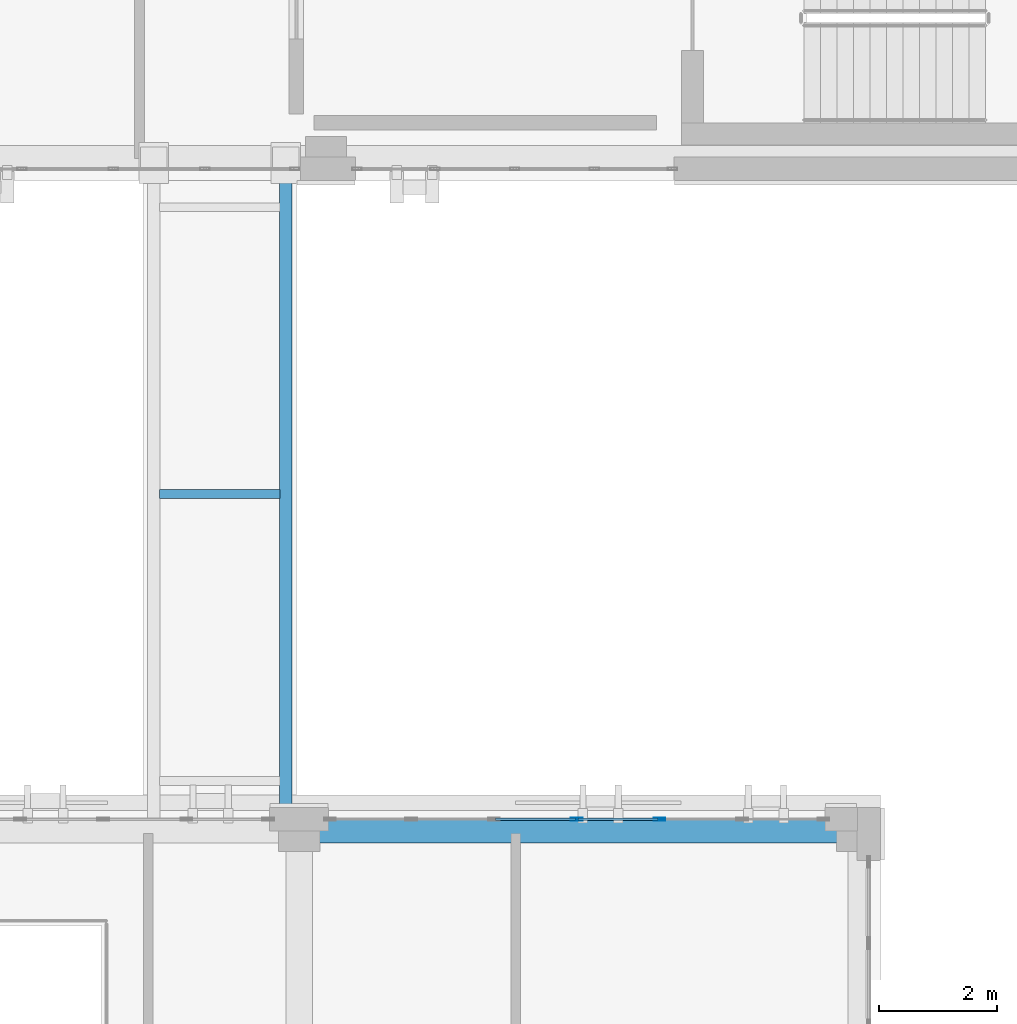
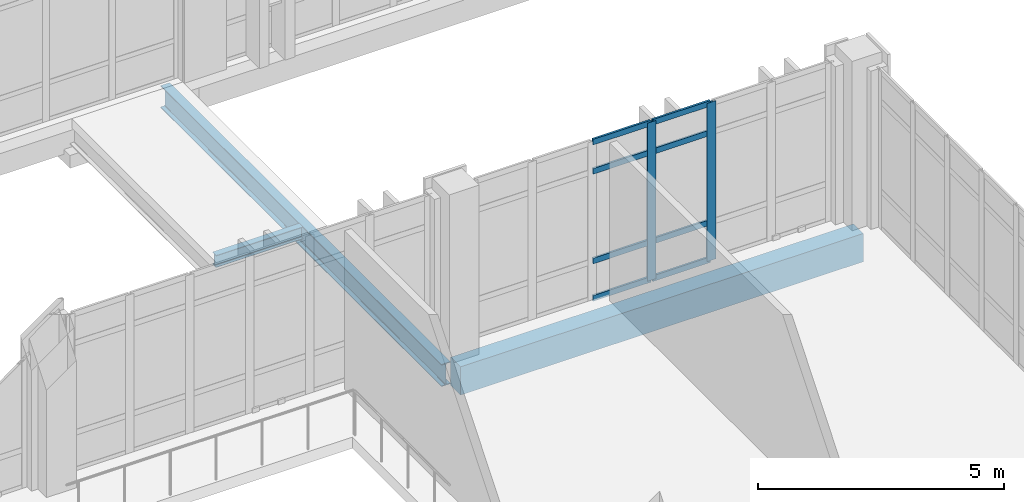
# One storey, part 51 of 158: 10 members, 3 beams, 1 element without a shape of its own.
"""IFC4 building model written with IfcOpenShell, lengths in metres."""

from ifc_helpers import new_model, si_unit, direction, frame, origin, origin_2d, place, context, subcontext, project, spatial, rectangle, hollow_rectangle, i_section, extrude, material, layer, layer_set, material_profile, profile_set, type_object, element, aggregate, save


model = new_model("IFC4")

# Units and contexts
model_context = context("Model", 3, precision=1e-05, world=origin(), true_north=direction((0.0, 1.0)))
body_context = subcontext(model_context, "Body", "Model", "MODEL_VIEW")
ifc_project = project(units=[si_unit("LENGTHUNIT", "METRE"), si_unit("AREAUNIT", "SQUARE_METRE"), si_unit("VOLUMEUNIT", "CUBIC_METRE"), si_unit("PLANEANGLEUNIT", "RADIAN"), si_unit("MASSUNIT", "GRAM", prefix="KILO")], contexts=[model_context])

# Site, building, storey
site_placement = place(None, origin())
site = spatial("IfcSite", under=ifc_project, at=site_placement, CompositionType="ELEMENT")
building_placement = place(site_placement, origin())
building = spatial("IfcBuilding", under=site, at=building_placement, Name="Qalavern Law Courts", CompositionType="ELEMENT")
storey_placement = place(building_placement, frame((0.0, 0.0, 18.60009765625)))
storey = spatial("IfcBuildingStorey", under=building, at=storey_placement, Name="L04", CompositionType="ELEMENT", Elevation=18.60009765625)

# Curtain wall, members
ifc_material_1 = material(Name="Anodised aluminium and insulated glazing", Category="aluminium")
ifc_layer = layer(ifc_material_1, 0.18505859375)
ifc_layer_set = layer_set([ifc_layer], Name="Anodised aluminium and insulated glazing")
curtain_wall_type = type_object("IfcCurtainWallType", Name="ENV-CW-HALL", PredefinedType="USERDEFINED", material=ifc_layer_set)
curtain_wall_placement = place(storey_placement, origin())
curtain_wall = element("IfcCurtainWall", 1, at=curtain_wall_placement, inside=storey, type_object=curtain_wall_type, Name="V2 unitised curtain wall L04 north 1", ObjectType="UNITISED CURTAIN WALL", PredefinedType="USERDEFINED")
ifc_material_2 = material(Name="Anodised aluminium", Category="aluminium")
ifc_material_profile_1 = material_profile(ifc_material_2, hollow_rectangle(XDim=0.048095703125, YDim=0.199951171875, WallThickness=0.00439453125, at=origin_2d()), Name="ALU MULLION 48x200")
ifc_profile_set_1 = profile_set([ifc_material_profile_1], Name="Anodised aluminium")
member_type_1 = type_object("IfcMemberType", Name="ENV-CWM-48x200", PredefinedType="MULLION", material=ifc_profile_set_1)
member_1_placement = place(storey_placement, frame((97.451904296875, 30.199951171875, 0.0), z_axis=(0.0, 0.0, 1.0), x_axis=(0.0, -1.0, 0.0)))
member_1 = element("IfcMember", 2, at=member_1_placement, type_object=member_type_1, Name="CW-02 mullion 3", PredefinedType="MULLION", context=body_context, shape_type="SweptSolid", body=[
    extrude(hollow_rectangle(XDim=0.048095703125, YDim=0.199951171875, WallThickness=0.00439453125, at=origin_2d()), origin(), (0.0, 0.0, 1.0), 3.9248046875),
])
member_2_placement = place(storey_placement, frame((96.05029296875, 30.199951171875, 0.0), z_axis=(0.0, 0.0, 1.0), x_axis=(0.0, -1.0, 0.0)))
member_2 = element("IfcMember", 3, at=member_2_placement, type_object=member_type_1, Name="CW-02 mullion 4", PredefinedType="MULLION", context=body_context, shape_type="SweptSolid", body=[
    extrude(hollow_rectangle(XDim=0.048095703125, YDim=0.199951171875, WallThickness=0.00439453125, at=origin_2d()), origin(), (0.0, 0.0, 1.0), 3.9248046875),
])
ifc_material_profile_2 = material_profile(ifc_material_2, hollow_rectangle(XDim=0.048095703125, YDim=0.139892578125, WallThickness=0.00390625, at=origin_2d()), Name="ALU TRANSOM 48x140")
ifc_profile_set_2 = profile_set([ifc_material_profile_2], Name="Anodised aluminium")
member_type_2 = type_object("IfcMemberType", Name="ENV-CWT-48x140", PredefinedType="USERDEFINED", material=ifc_profile_set_2)
member_3_placement = place(storey_placement, frame((97.427978515625, 30.199951171875, 0.02392578125), z_axis=(-1.0, 0.0, 0.0), x_axis=(0.0, -1.0, 0.0)))
member_3 = element("IfcMember", 4, at=member_3_placement, type_object=member_type_2, Name="CW-02 transom 3.1", ObjectType="TRANSOM", PredefinedType="USERDEFINED", context=body_context, shape_type="SweptSolid", body=[
    extrude(hollow_rectangle(XDim=0.048095703125, YDim=0.139892578125, WallThickness=0.00390625, at=origin_2d()), origin(), (0.0, 0.0, 1.0), 1.353515625),
])
member_4_placement = place(storey_placement, frame((97.427978515625, 30.199951171875, 0.949951171875), z_axis=(-1.0, 0.0, 0.0), x_axis=(0.0, -1.0, 0.0)))
member_4 = element("IfcMember", 5, at=member_4_placement, type_object=member_type_2, Name="CW-02 transom 3.2", ObjectType="TRANSOM", PredefinedType="USERDEFINED", context=body_context, shape_type="SweptSolid", body=[
    extrude(hollow_rectangle(XDim=0.048095703125, YDim=0.139892578125, WallThickness=0.00390625, at=origin_2d()), origin(), (0.0, 0.0, 1.0), 1.353515625),
])
member_5_placement = place(storey_placement, frame((97.427978515625, 30.199951171875, 3.1748046875), z_axis=(-1.0, 0.0, 0.0), x_axis=(0.0, -1.0, 0.0)))
member_5 = element("IfcMember", 6, at=member_5_placement, type_object=member_type_2, Name="CW-02 transom 3.3", ObjectType="TRANSOM", PredefinedType="USERDEFINED", context=body_context, shape_type="SweptSolid", body=[
    extrude(hollow_rectangle(XDim=0.048095703125, YDim=0.139892578125, WallThickness=0.00390625, at=origin_2d()), origin(), (0.0, 0.0, 1.0), 1.353515625),
])
member_6_placement = place(storey_placement, frame((97.427978515625, 30.199951171875, 3.90087890625), z_axis=(-1.0, 0.0, 0.0), x_axis=(0.0, -1.0, 0.0)))
member_6 = element("IfcMember", 7, at=member_6_placement, type_object=member_type_2, Name="CW-02 transom 3.4", ObjectType="TRANSOM", PredefinedType="USERDEFINED", context=body_context, shape_type="SweptSolid", body=[
    extrude(hollow_rectangle(XDim=0.048095703125, YDim=0.139892578125, WallThickness=0.00390625, at=origin_2d()), origin(), (0.0, 0.0, 1.0), 1.353515625),
])
member_7_placement = place(storey_placement, frame((96.0263671875, 30.199951171875, 0.02392578125), z_axis=(-1.0, 0.0, 0.0), x_axis=(0.0, -1.0, 0.0)))
member_7 = element("IfcMember", 8, at=member_7_placement, type_object=member_type_2, Name="CW-02 transom 4.1", ObjectType="TRANSOM", PredefinedType="USERDEFINED", context=body_context, shape_type="SweptSolid", body=[
    extrude(hollow_rectangle(XDim=0.048095703125, YDim=0.139892578125, WallThickness=0.00390625, at=origin_2d()), origin(), (0.0, 0.0, 1.0), 1.353515625),
])
member_8_placement = place(storey_placement, frame((96.0263671875, 30.199951171875, 0.949951171875), z_axis=(-1.0, 0.0, 0.0), x_axis=(0.0, -1.0, 0.0)))
member_8 = element("IfcMember", 9, at=member_8_placement, type_object=member_type_2, Name="CW-02 transom 4.2", ObjectType="TRANSOM", PredefinedType="USERDEFINED", context=body_context, shape_type="SweptSolid", body=[
    extrude(hollow_rectangle(XDim=0.048095703125, YDim=0.139892578125, WallThickness=0.00390625, at=origin_2d()), origin(), (0.0, 0.0, 1.0), 1.353515625),
])
member_9_placement = place(storey_placement, frame((96.0263671875, 30.199951171875, 3.1748046875), z_axis=(-1.0, 0.0, 0.0), x_axis=(0.0, -1.0, 0.0)))
member_9 = element("IfcMember", 10, at=member_9_placement, type_object=member_type_2, Name="CW-02 transom 4.3", ObjectType="TRANSOM", PredefinedType="USERDEFINED", context=body_context, shape_type="SweptSolid", body=[
    extrude(hollow_rectangle(XDim=0.048095703125, YDim=0.139892578125, WallThickness=0.00390625, at=origin_2d()), origin(), (0.0, 0.0, 1.0), 1.353515625),
])
member_10_placement = place(storey_placement, frame((96.0263671875, 30.199951171875, 3.90087890625), z_axis=(-1.0, 0.0, 0.0), x_axis=(0.0, -1.0, 0.0)))
member_10 = element("IfcMember", 11, at=member_10_placement, type_object=member_type_2, Name="CW-02 transom 4.4", ObjectType="TRANSOM", PredefinedType="USERDEFINED", context=body_context, shape_type="SweptSolid", body=[
    extrude(hollow_rectangle(XDim=0.048095703125, YDim=0.139892578125, WallThickness=0.00390625, at=origin_2d()), origin(), (0.0, 0.0, 1.0), 1.353515625),
])
aggregate(curtain_wall, [member_1, member_2, member_3, member_4, member_5, member_6, member_7, member_8, member_9, member_10])

# Beams
ifc_material_3 = material(Name="Steel S355", Category="steel")
ifc_material_profile_3 = material_profile(ifc_material_3, i_section(OverallWidth=0.2099609375, OverallDepth=0.550048828125, WebThickness=0.010986328125, FlangeThickness=0.01708984375, FilletRadius=0.02392578125, at=origin_2d()), Name="IPE 550")
ifc_profile_set_3 = profile_set([ifc_material_profile_3], Name="Steel S355")
beam_type_1 = type_object("IfcBeamType", Name="STR-BM-IPE550", PredefinedType="BEAM", material=ifc_profile_set_3)
beam_1_placement = place(storey_placement, frame((91.1201171875, 30.0, -0.503173828125), z_axis=(0.0, 1.0, 0.0), x_axis=(-1.0, 0.0, 0.0)))
element("IfcBeam", 12, at=beam_1_placement, inside=storey, type_object=beam_type_1, Name="Bridge BR-V2-V4 edge girder 2 L04", PredefinedType="BEAM", context=body_context, shape_type="SweptSolid", body=[
    extrude(i_section(OverallWidth=0.2099609375, OverallDepth=0.550048828125, WebThickness=0.010986328125, FlangeThickness=0.01708984375, FilletRadius=0.02392578125, at=origin_2d()), origin(), (0.0, 0.0, 1.0), 11.419921875),
])
ifc_material_profile_4 = material_profile(ifc_material_3, i_section(OverallWidth=0.14990234375, OverallDepth=0.300048828125, WebThickness=0.007080078125, FlangeThickness=0.0107421875, FilletRadius=0.014892578125, at=origin_2d()), Name="IPE 300")
ifc_profile_set_4 = profile_set([ifc_material_profile_4], Name="Steel S355")
beam_type_2 = type_object("IfcBeamType", Name="STR-JST-IPE300", PredefinedType="JOIST", material=ifc_profile_set_4)
beam_2_placement = place(storey_placement, frame((88.97998046875, 35.7099609375, -0.378173828125), z_axis=(1.0, 0.0, 0.0), x_axis=(0.0, 1.0, 0.0)))
element("IfcBeam", 13, at=beam_2_placement, inside=storey, type_object=beam_type_2, Name="Bridge BR-V2-V4 cross beam 2 L04", PredefinedType="JOIST", context=body_context, shape_type="SweptSolid", body=[
    extrude(i_section(OverallWidth=0.14990234375, OverallDepth=0.300048828125, WebThickness=0.007080078125, FlangeThickness=0.0107421875, FilletRadius=0.014892578125, at=origin_2d()), origin(), (0.0, 0.0, 1.0), 2.0400390625),
])
ifc_material_4 = material(Name="Concrete C40/50", Category="concrete")
ifc_material_profile_5 = material_profile(ifc_material_4, rectangle(XDim=0.39990234375, YDim=0.699951171875, at=origin_2d()), Name="RC 400x700")
ifc_profile_set_5 = profile_set([ifc_material_profile_5], Name="Concrete C40/50")
beam_type_3 = type_object("IfcBeamType", Name="STR-SP-RC400x700", PredefinedType="SPANDREL", material=ifc_profile_set_5)
beam_3_placement = place(storey_placement, frame((91.345703125, 30.0, -0.630126953125), z_axis=(1.0, 0.0, 0.0), x_axis=(0.0, 1.0, 0.0)))
element("IfcBeam", 14, at=beam_3_placement, inside=storey, type_object=beam_type_3, Name="V2 X-beam 4-7 L04", PredefinedType="SPANDREL", context=body_context, shape_type="SweptSolid", body=[
    extrude(rectangle(XDim=0.39990234375, YDim=0.699951171875, at=origin_2d()), origin(), (0.0, 0.0, 1.0), 9.454345703125),
])

save(model, "model.ifc")
